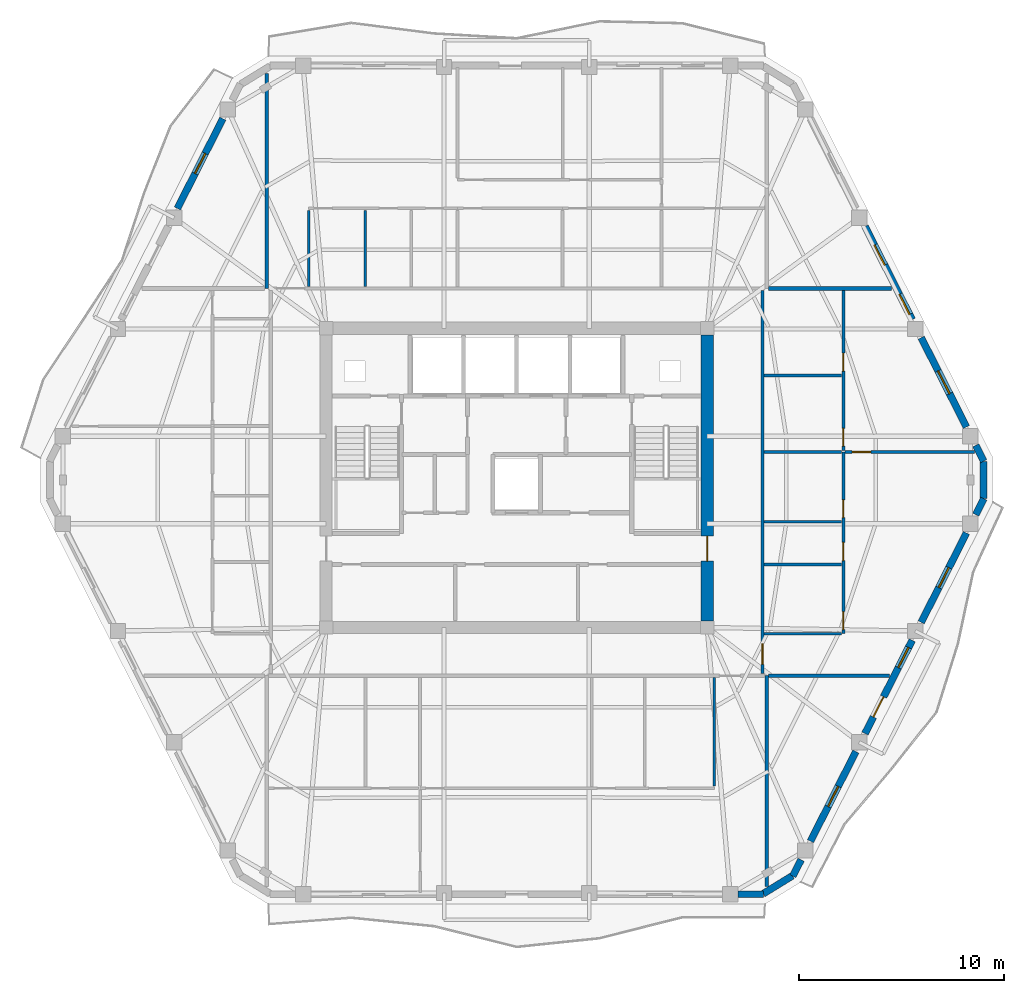
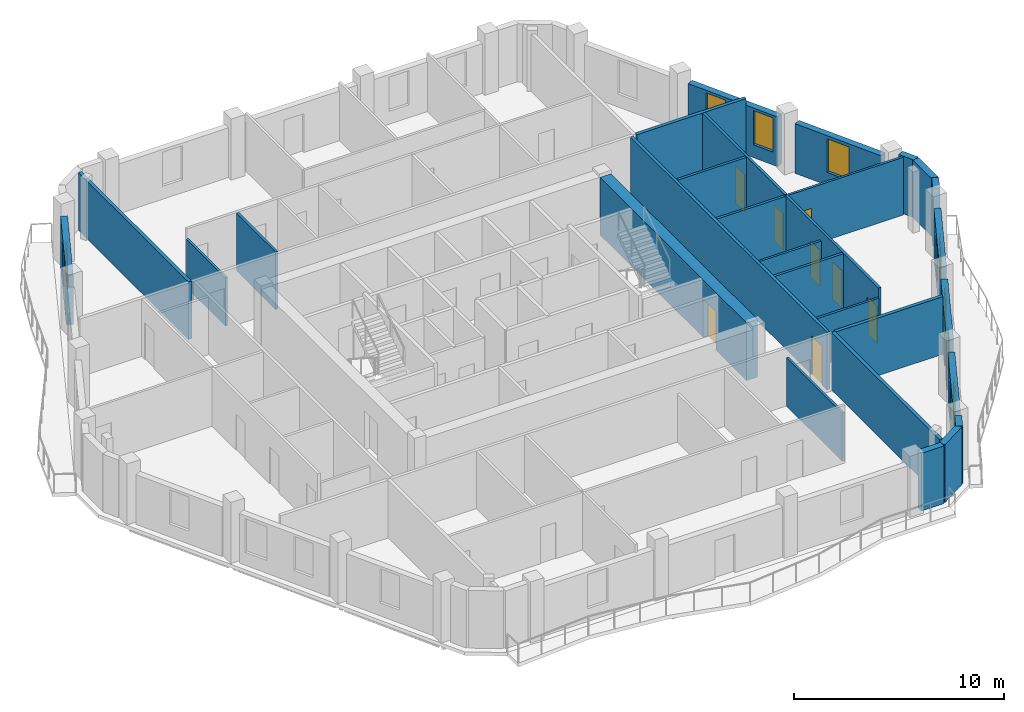
# One storey, part 6 of 9: 29 walls, 9 doors, 7 windows, 16 openings.
"""IFC4 building model written with IfcOpenShell, lengths in metres."""

from ifc_helpers import new_model, si_unit, direction, frame, frame_2d, origin, place, context, subcontext, project, spatial, rectangle, extrude, material, layer, layer_set, type_object, element, fill, save


model = new_model("IFC4")

# Units and contexts
model_context = context("Model", 3, precision=1e-05, world=origin(), true_north=direction((0.0, 1.0)))
body_context = subcontext(model_context, "Body", "Model", "MODEL_VIEW")
ifc_project = project(units=[si_unit("LENGTHUNIT", "METRE"), si_unit("AREAUNIT", "SQUARE_METRE"), si_unit("VOLUMEUNIT", "CUBIC_METRE"), si_unit("PLANEANGLEUNIT", "RADIAN"), si_unit("MASSUNIT", "GRAM", prefix="KILO")], contexts=[model_context])

# Site, building, storey
site_placement = place(None, origin())
site = spatial("IfcSite", under=ifc_project, at=site_placement, CompositionType="ELEMENT")
building_placement = place(site_placement, origin())
building = spatial("IfcBuilding", under=site, at=building_placement, Name="Cinnabar Lancet Tower", CompositionType="ELEMENT")
storey_placement = place(building_placement, frame((0.0, 0.0, 207.39990234375)))
storey = spatial("IfcBuildingStorey", under=building, at=storey_placement, Name="L55", CompositionType="ELEMENT", Elevation=207.39990234375)

# Wall, opening, door
ifc_material_1 = material(Name="Acoustic twin-stud gypsum partition", Category="gypsum")
ifc_layer_1 = layer(ifc_material_1, 0.159912109375)
ifc_layer_set_1 = layer_set([ifc_layer_1], Name="Acoustic twin-stud gypsum partition")
wall_type_1 = type_object("IfcWallType", Name="ARC-WL-CORR-160", PredefinedType="PARTITIONING", material=ifc_layer_set_1)
wall_1_placement = place(storey_placement, frame((44.39990234375, 16.344970703125, 0.0), z_axis=(0.0, 0.0, 1.0), x_axis=(0.0, 1.0, 0.0)))
wall_1 = element("IfcWall", 1, at=wall_1_placement, inside=storey, type_object=wall_type_1, Name="UW-L55-E01-COR", PredefinedType="PARTITIONING", context=body_context, shape_type="SweptSolid", body=[
    extrude(rectangle(XDim=18.7099609375, YDim=0.159912109375, at=frame_2d((9.35498046875, 0.0))), origin(), (0.0, 0.0, 1.0), 3.35009765625),
])
opening_1_placement = place(wall_1_placement, frame((0.449951171875, 0.0, 0.0)))
opening_1 = element("IfcOpeningElement", 2, at=opening_1_placement, cuts=wall_1, Name="Opening UD-01", PredefinedType="OPENING", context=body_context, shape_type="SweptSolid", body=[
    extrude(rectangle(XDim=1.02001953125, YDim=2.25, at=frame_2d((0.510009765625, 1.125))), frame((0.0, 0.08984375, 0.0), z_axis=(0.0, -1.0, 0.0), x_axis=(1.0, 0.0, 0.0)), (0.0, 0.0, 1.0), 0.179931640625),
])
ifc_material_2 = material(Name="Solid timber fire-rated apartment entrance door", Category="wood")
door_type_1 = type_object("IfcDoorType", Name="ARC-DR-UNIT", OperationType="NOTDEFINED", PredefinedType="DOOR", material=ifc_material_2)
door_1_placement = place(opening_1_placement, origin())
door_1 = element("IfcDoor", 3, at=door_1_placement, inside=storey, type_object=door_type_1, Name="DR-L55-E01-ENT", OperationType="SINGLE_SWING_LEFT", OverallHeight=2.25, OverallWidth=1.02001953125, PredefinedType="DOOR", context=body_context, shape_type="SweptSolid", body=[
    extrude(rectangle(XDim=1.02001953125, YDim=2.25, at=frame_2d((0.510009765625, 1.125))), frame((0.0, 0.02490234375, 0.0), z_axis=(0.0, -1.0, 0.0), x_axis=(1.0, 0.0, 0.0)), (0.0, 0.0, 1.0), 0.050048828125),
])
fill(opening_1, door_1)

# Walls
ifc_material_3 = material(Name="Fire-rated twin-frame acoustic drywall", Category="gypsum")
ifc_layer_2 = layer(ifc_material_3, 0.179931640625)
ifc_layer_set_2 = layer_set([ifc_layer_2], Name="Fire-rated twin-frame acoustic drywall")
wall_type_2 = type_object("IfcWallType", Name="ARC-WL-PARTY-180", PredefinedType="PARTITIONING", material=ifc_layer_set_2)
wall_2_placement = place(storey_placement, frame((44.60009765625, 5.968017578125, 0.0), z_axis=(0.0, 0.0, 1.0), x_axis=(0.0, 1.0, 0.0)))
element("IfcWall", 4, at=wall_2_placement, inside=storey, type_object=wall_type_2, Name="PW-L55-SPTY-446", PredefinedType="PARTITIONING", context=body_context, shape_type="SweptSolid", body=[
    extrude(rectangle(XDim=10.281982421875, YDim=0.179931640625, at=frame_2d((5.14111328125, 0.0))), origin(), (0.0, 0.0, 1.0), 3.35009765625),
])
wall_3_placement = place(storey_placement, frame((20.199951171875, 35.14990234375, 0.0), z_axis=(0.0, 0.0, 1.0), x_axis=(0.0, 1.0, 0.0)))
element("IfcWall", 5, at=wall_3_placement, inside=storey, type_object=wall_type_2, Name="PW-L55-NPTY-202", PredefinedType="PARTITIONING", context=body_context, shape_type="SweptSolid", body=[
    extrude(rectangle(XDim=10.482177734375, YDim=0.179931640625, at=frame_2d((5.2412109375, 0.0))), origin(), (0.0, 0.0, 1.0), 3.35009765625),
])
wall_4_placement = place(storey_placement, frame((44.695068359375, 16.25, 0.0), z_axis=(0.0, 0.0, 1.0), x_axis=(1.0, 0.0, 0.0)))
element("IfcWall", 6, at=wall_4_placement, inside=storey, type_object=wall_type_2, Name="PW-L55-ESB", PredefinedType="PARTITIONING", context=body_context, shape_type="SweptSolid", body=[
    extrude(rectangle(XDim=5.89404296875, YDim=0.179931640625, at=frame_2d((2.947021484375, 0.0))), origin(), (0.0, 0.0, 1.0), 3.35009765625),
])
wall_5_placement = place(storey_placement, frame((44.695068359375, 35.14990234375, 0.0), z_axis=(0.0, 0.0, 1.0), x_axis=(1.0, 0.0, 0.0)))
element("IfcWall", 7, at=wall_5_placement, inside=storey, type_object=wall_type_2, Name="PW-L55-ENB", PredefinedType="PARTITIONING", context=body_context, shape_type="SweptSolid", body=[
    extrude(rectangle(XDim=5.994873046875, YDim=0.179931640625, at=frame_2d((2.99755859375, 0.0))), origin(), (0.0, 0.0, 1.0), 3.35009765625),
])
ifc_material_4 = material(Name="Gypsum plasterboard stud partition", Category="gypsum")
ifc_layer_3 = layer(ifc_material_4, 0.125)
ifc_layer_set_3 = layer_set([ifc_layer_3], Name="Gypsum plasterboard stud partition")
wall_type_3 = type_object("IfcWallType", Name="ARC-WL-UNIT-125", PredefinedType="PARTITIONING", material=ifc_layer_set_3)
wall_6_placement = place(storey_placement, frame((42.050048828125, 10.85693359375, 0.0), z_axis=(0.0, 0.0, 1.0), x_axis=(0.0, 1.0, 0.0)))
element("IfcWall", 8, at=wall_6_placement, inside=storey, type_object=wall_type_3, Name="UW-L55-S01-FOYW", PredefinedType="PARTITIONING", context=body_context, shape_type="SweptSolid", body=[
    extrude(rectangle(XDim=5.30810546875, YDim=0.125, at=frame_2d((2.654052734375, 0.0))), origin(), (0.0, 0.0, 1.0), 2.80712890625),
])
wall_7_placement = place(storey_placement, frame((22.25, 35.235107421875, 0.0), z_axis=(0.0, 0.0, 1.0), x_axis=(0.0, 1.0, 0.0)))
element("IfcWall", 9, at=wall_7_placement, inside=storey, type_object=wall_type_3, Name="UW-L55-N01-FOYE", PredefinedType="PARTITIONING", context=body_context, shape_type="SweptSolid", body=[
    extrude(rectangle(XDim=3.721923828125, YDim=0.125, at=frame_2d((1.86083984375, 0.0))), origin(), (0.0, 0.0, 1.0), 2.80712890625),
])
wall_8_placement = place(storey_placement, frame((44.485107421875, 18.300048828125, 0.0), z_axis=(0.0, 0.0, 1.0), x_axis=(1.0, 0.0, 0.0)))
element("IfcWall", 10, at=wall_8_placement, inside=storey, type_object=wall_type_3, Name="UW-L55-E01-FOYN", PredefinedType="PARTITIONING", context=body_context, shape_type="SweptSolid", body=[
    extrude(rectangle(XDim=3.77978515625, YDim=0.125, at=frame_2d((1.889892578125, 0.0))), origin(), (0.0, 0.0, 1.0), 2.80712890625),
])

# Wall, opening, door
wall_9_placement = place(storey_placement, frame((48.425048828125, 27.166015625, 0.0), z_axis=(0.0, 0.0, 1.0), x_axis=(1.0, 0.0, 0.0)))
wall_9 = element("IfcWall", 11, at=wall_9_placement, inside=storey, type_object=wall_type_3, Name="UW-L55-E01-MBN", PredefinedType="PARTITIONING", context=body_context, shape_type="SweptSolid", body=[
    extrude(rectangle(XDim=6.320068359375, YDim=0.125, at=frame_2d((3.16015625, 0.0))), origin(), (0.0, 0.0, 1.0), 3.35009765625),
])
opening_2_placement = place(wall_9_placement, frame((0.35009765625, 0.0, 0.0)))
opening_2 = element("IfcOpeningElement", 12, at=opening_2_placement, cuts=wall_9, Name="Opening RD-01", PredefinedType="OPENING", context=body_context, shape_type="SweptSolid", body=[
    extrude(rectangle(XDim=0.919921875, YDim=2.14990234375, at=frame_2d((0.4599609375, 1.074951171875))), frame((0.0, 0.072509765625, 0.0), z_axis=(0.0, -1.0, 0.0), x_axis=(1.0, 0.0, 0.0)), (0.0, 0.0, 1.0), 0.14501953125),
])
ifc_material_5 = material(Name="Engineered timber bedroom door", Category="wood")
door_type_2 = type_object("IfcDoorType", Name="ARC-DR-ROOM", OperationType="NOTDEFINED", PredefinedType="DOOR", material=ifc_material_5)
door_2_placement = place(opening_2_placement, origin())
door_2 = element("IfcDoor", 13, at=door_2_placement, inside=storey, type_object=door_type_2, Name="DR-L55-E01-MBD", OperationType="SINGLE_SWING_LEFT", OverallHeight=2.14990234375, OverallWidth=0.919921875, PredefinedType="DOOR", context=body_context, shape_type="SweptSolid", body=[
    extrude(rectangle(XDim=0.919921875, YDim=2.14990234375, at=frame_2d((0.4599609375, 1.074951171875))), frame((0.0, 0.02490234375, 0.0), z_axis=(0.0, -1.0, 0.0), x_axis=(1.0, 0.0, 0.0)), (0.0, 0.0, 1.0), 0.050048828125),
])
fill(opening_2, door_2)

# Walls
wall_10_placement = place(storey_placement, frame((44.485107421875, 23.76611328125, 0.0), z_axis=(0.0, 0.0, 1.0), x_axis=(1.0, 0.0, 0.0)))
element("IfcWall", 14, at=wall_10_placement, inside=storey, type_object=wall_type_3, Name="UW-L55-E01-UDV", PredefinedType="PARTITIONING", context=body_context, shape_type="SweptSolid", body=[
    extrude(rectangle(XDim=3.77978515625, YDim=0.125, at=frame_2d((1.889892578125, 0.0))), origin(), (0.0, 0.0, 1.0), 2.80712890625),
])
ifc_material_6 = material(Name="Moisture-resistant cement-board plumbing wall", Category="masonry")
ifc_layer_4 = layer(ifc_material_6, 0.139892578125)
ifc_layer_set_4 = layer_set([ifc_layer_4], Name="Moisture-resistant cement-board plumbing wall")
wall_type_4 = type_object("IfcWallType", Name="ARC-WL-WET-140", PredefinedType="PLUMBINGWALL", material=ifc_layer_set_4)
wall_11_placement = place(storey_placement, frame((25.010009765625, 35.235107421875, 0.0), z_axis=(0.0, 0.0, 1.0), x_axis=(0.0, 1.0, 0.0)))
element("IfcWall", 15, at=wall_11_placement, inside=storey, type_object=wall_type_4, Name="UW-L55-N01-KDV", PredefinedType="PLUMBINGWALL", context=body_context, shape_type="SweptSolid", body=[
    extrude(rectangle(XDim=3.721923828125, YDim=0.139892578125, at=frame_2d((1.86083984375, 0.0))), origin(), (0.0, 0.0, 1.0), 3.35009765625),
])

# Wall, openings, doors
wall_12_placement = place(storey_placement, frame((48.35009765625, 18.300048828125, 0.0), z_axis=(0.0, 0.0, 1.0), x_axis=(0.0, 1.0, 0.0)))
wall_12 = element("IfcWall", 16, at=wall_12_placement, inside=storey, type_object=wall_type_4, Name="UW-L55-E01-SPL", PredefinedType="PLUMBINGWALL", context=body_context, shape_type="SweptSolid", body=[
    extrude(rectangle(XDim=8.865966796875, YDim=0.139892578125, at=frame_2d((4.43310546875, 0.0))), origin(), (0.0, 0.0, 1.0), 3.35009765625),
])
opening_3_placement = place(wall_12_placement, frame((0.199951171875, 0.0, 0.0)))
opening_3 = element("IfcOpeningElement", 17, at=opening_3_placement, cuts=wall_12, Name="Opening RD-02", PredefinedType="OPENING", context=body_context, shape_type="SweptSolid", body=[
    extrude(rectangle(XDim=0.8798828125, YDim=2.14990234375, at=frame_2d((0.43994140625, 1.074951171875))), frame((0.0, 0.079833984375, 0.0), z_axis=(0.0, -1.0, 0.0), x_axis=(1.0, 0.0, 0.0)), (0.0, 0.0, 1.0), 0.159912109375),
])
opening_4_placement = place(wall_12_placement, frame((3.569091796875, 0.0, 0.0)))
opening_4 = element("IfcOpeningElement", 18, at=opening_4_placement, cuts=wall_12, Name="Opening RD-02", PredefinedType="OPENING", context=body_context, shape_type="SweptSolid", body=[
    extrude(rectangle(XDim=0.8798828125, YDim=2.14990234375, at=frame_2d((0.43994140625, 1.074951171875))), frame((0.0, 0.079833984375, 0.0), z_axis=(0.0, -1.0, 0.0), x_axis=(1.0, 0.0, 0.0)), (0.0, 0.0, 1.0), 0.159912109375),
])
opening_5_placement = place(wall_12_placement, frame((5.666015625, 0.0, 0.0)))
opening_5 = element("IfcOpeningElement", 19, at=opening_5_placement, cuts=wall_12, Name="Opening BD-01", PredefinedType="OPENING", context=body_context, shape_type="SweptSolid", body=[
    extrude(rectangle(XDim=0.860107421875, YDim=2.10009765625, at=frame_2d((0.43017578125, 1.050048828125))), frame((0.0, 0.079833984375, 0.0), z_axis=(0.0, -1.0, 0.0), x_axis=(1.0, 0.0, 0.0)), (0.0, 0.0, 1.0), 0.159912109375),
])
ifc_material_7 = material(Name="Moisture-resistant timber bathroom door", Category="wood")
door_type_3 = type_object("IfcDoorType", Name="ARC-DR-BATH", OperationType="NOTDEFINED", PredefinedType="DOOR", material=ifc_material_7)
door_3_placement = place(opening_5_placement, origin())
door_3 = element("IfcDoor", 20, at=door_3_placement, inside=storey, type_object=door_type_3, Name="DR-L55-E01-BTH", OperationType="SINGLE_SWING_RIGHT", OverallHeight=2.10009765625, OverallWidth=0.860107421875, PredefinedType="DOOR", context=body_context, shape_type="SweptSolid", body=[
    extrude(rectangle(XDim=0.860107421875, YDim=2.10009765625, at=frame_2d((0.43017578125, 1.050048828125))), frame((0.0, 0.02490234375, 0.0), z_axis=(0.0, -1.0, 0.0), x_axis=(1.0, 0.0, 0.0)), (0.0, 0.0, 1.0), 0.050048828125),
])
fill(opening_5, door_3)
ifc_material_8 = material(Name="Engineered timber study door", Category="wood")
door_type_4 = type_object("IfcDoorType", Name="ARC-DR-STUDY", OperationType="NOTDEFINED", PredefinedType="DOOR", material=ifc_material_8)
door_4_placement = place(opening_3_placement, origin())
door_4 = element("IfcDoor", 21, at=door_4_placement, inside=storey, type_object=door_type_4, Name="DR-L55-E01-KIT", OperationType="SINGLE_SWING_RIGHT", OverallHeight=2.14990234375, OverallWidth=0.8798828125, PredefinedType="DOOR", context=body_context, shape_type="SweptSolid", body=[
    extrude(rectangle(XDim=0.8798828125, YDim=2.14990234375, at=frame_2d((0.43994140625, 1.074951171875))), frame((0.0, 0.02490234375, 0.0), z_axis=(0.0, -1.0, 0.0), x_axis=(1.0, 0.0, 0.0)), (0.0, 0.0, 1.0), 0.050048828125),
])
fill(opening_3, door_4)
door_5_placement = place(opening_4_placement, origin())
door_5 = element("IfcDoor", 22, at=door_5_placement, inside=storey, type_object=door_type_4, Name="DR-L55-E01-UTL", OperationType="SINGLE_SWING_LEFT", OverallHeight=2.14990234375, OverallWidth=0.8798828125, PredefinedType="DOOR", context=body_context, shape_type="SweptSolid", body=[
    extrude(rectangle(XDim=0.8798828125, YDim=2.14990234375, at=frame_2d((0.43994140625, 1.074951171875))), frame((0.0, 0.02490234375, 0.0), z_axis=(0.0, -1.0, 0.0), x_axis=(1.0, 0.0, 0.0)), (0.0, 0.0, 1.0), 0.050048828125),
])
fill(opening_4, door_5)

wall_13_placement = place(storey_placement, frame((48.35009765625, 27.236083984375, 0.0), z_axis=(0.0, 0.0, 1.0), x_axis=(0.0, 1.0, 0.0)))
wall_13 = element("IfcWall", 23, at=wall_13_placement, inside=storey, type_object=wall_type_4, Name="UW-L55-E01-SPM", PredefinedType="PLUMBINGWALL", context=body_context, shape_type="SweptSolid", body=[
    extrude(rectangle(XDim=7.81884765625, YDim=0.139892578125, at=frame_2d((3.909423828125, 0.0))), origin(), (0.0, 0.0, 1.0), 3.35009765625),
])
opening_6_placement = place(wall_13_placement, frame((0.219970703125, 0.0, 0.0)))
opening_6 = element("IfcOpeningElement", 24, at=opening_6_placement, cuts=wall_13, Name="Opening BD-01", PredefinedType="OPENING", context=body_context, shape_type="SweptSolid", body=[
    extrude(rectangle(XDim=0.860107421875, YDim=2.10009765625, at=frame_2d((0.43017578125, 1.050048828125))), frame((0.0, 0.079833984375, 0.0), z_axis=(0.0, -1.0, 0.0), x_axis=(1.0, 0.0, 0.0)), (0.0, 0.0, 1.0), 0.159912109375),
])
opening_7_placement = place(wall_13_placement, frame((3.8798828125, 0.0, 0.0)))
opening_7 = element("IfcOpeningElement", 25, at=opening_7_placement, cuts=wall_13, Name="Opening RD-02", PredefinedType="OPENING", context=body_context, shape_type="SweptSolid", body=[
    extrude(rectangle(XDim=0.8798828125, YDim=2.14990234375, at=frame_2d((0.43994140625, 1.074951171875))), frame((0.0, 0.079833984375, 0.0), z_axis=(0.0, -1.0, 0.0), x_axis=(1.0, 0.0, 0.0)), (0.0, 0.0, 1.0), 0.159912109375),
])
door_6_placement = place(opening_6_placement, origin())
door_6 = element("IfcDoor", 26, at=door_6_placement, inside=storey, type_object=door_type_3, Name="DR-L55-E01-ENS", OperationType="SINGLE_SWING_LEFT", OverallHeight=2.10009765625, OverallWidth=0.860107421875, PredefinedType="DOOR", context=body_context, shape_type="SweptSolid", body=[
    extrude(rectangle(XDim=0.860107421875, YDim=2.10009765625, at=frame_2d((0.43017578125, 1.050048828125))), frame((0.0, 0.02490234375, 0.0), z_axis=(0.0, -1.0, 0.0), x_axis=(1.0, 0.0, 0.0)), (0.0, 0.0, 1.0), 0.050048828125),
])
fill(opening_6, door_6)
door_7_placement = place(opening_7_placement, origin())
door_7 = element("IfcDoor", 27, at=door_7_placement, inside=storey, type_object=door_type_4, Name="DR-L55-E01-EWDR", OperationType="SINGLE_SWING_RIGHT", OverallHeight=2.14990234375, OverallWidth=0.8798828125, PredefinedType="DOOR", context=body_context, shape_type="SweptSolid", body=[
    extrude(rectangle(XDim=0.8798828125, YDim=2.14990234375, at=frame_2d((0.43994140625, 1.074951171875))), frame((0.0, 0.02490234375, 0.0), z_axis=(0.0, -1.0, 0.0), x_axis=(1.0, 0.0, 0.0)), (0.0, 0.0, 1.0), 0.050048828125),
])
fill(opening_7, door_7)

# Walls
for number, where, z_axis, x_axis, name in (
    (28, (44.485107421875, 27.166015625, 0.0), (0.0, 0.0, 1.0), (1.0, 0.0, 0.0), "UW-L55-E01-ENSN"),
    (29, (44.485107421875, 21.6689453125, 0.0), (0.0, 0.0, 1.0), (1.0, 0.0, 0.0), "UW-L55-E01-KDV"),
    (30, (44.485107421875, 30.89599609375, 0.0), (0.0, 0.0, 1.0), (1.0, 0.0, 0.0), "UW-L55-E01-EWDV"),
):
    element("IfcWall", number, at=place(storey_placement, frame(where, z_axis=z_axis, x_axis=x_axis)), inside=storey, type_object=wall_type_4, Name=name, PredefinedType="PLUMBINGWALL", context=body_context, shape_type="SweptSolid", body=[
        extrude(rectangle(XDim=3.77978515625, YDim=0.139892578125, at=frame_2d((1.889892578125, 0.0))), origin(), (0.0, 0.0, 1.0), 3.35009765625),
    ])
ifc_material_9 = material(Name="Cinnabar red clay brick", Category="masonry")
ifc_layer_5 = layer(ifc_material_9, 0.340087890625)
ifc_layer_set_5 = layer_set([ifc_layer_5], Name="Cinnabar red clay brick")
wall_type_5 = type_object("IfcWallType", Name="ENV-WL-BRK-RED-340", PredefinedType="STANDARD", material=ifc_layer_set_5)
wall_14_placement = place(storey_placement, frame((44.43310546875, 5.60498046875, 0.0), z_axis=(0.0, 0.0, 1.0), x_axis=(0.851778214877, 0.523902541185, 0.0)))
element("IfcWall", 31, at=wall_14_placement, inside=storey, type_object=wall_type_5, Name="L55 Chamfered Corner Brick Pier 2.1", PredefinedType="STANDARD", context=body_context, shape_type="SweptSolid", body=[
    extrude(rectangle(XDim=1.677734375, YDim=0.340087890625, at=frame_2d((0.8388671875, 0.0))), origin(), (0.0, 0.0, 1.0), 3.35009765625),
])
wall_15_placement = place(storey_placement, frame((55.177978515625, 24.89208984375, 0.0), z_axis=(0.0, 0.0, 1.0), x_axis=(0.0, 1.0, 0.0)))
element("IfcWall", 32, at=wall_15_placement, inside=storey, type_object=wall_type_5, Name="L55 Chamfered Corner Brick Pier 3.1", PredefinedType="STANDARD", context=body_context, shape_type="SweptSolid", body=[
    extrude(rectangle(XDim=1.81591796875, YDim=0.340087890625, at=frame_2d((0.907958984375, 0.0))), origin(), (0.0, 0.0, 1.0), 3.35009765625),
])
wall_16_placement = place(storey_placement, frame((43.199951171875, 5.580078125, 0.0), z_axis=(0.0, 0.0, 1.0), x_axis=(1.0, 0.0, 0.0)))
element("IfcWall", 33, at=wall_16_placement, inside=storey, type_object=wall_type_5, Name="L55 Face 1 Masonry Bay Wall 5", PredefinedType="STANDARD", context=body_context, shape_type="SweptSolid", body=[
    extrude(rectangle(XDim=1.238037109375, YDim=0.340087890625, at=frame_2d((0.619140625, 0.0))), origin(), (0.0, 0.0, 1.0), 3.35009765625),
])
wall_17_placement = place(storey_placement, frame((45.882080078125, 6.468017578125, 0.0), z_axis=(0.0, 0.0, 1.0), x_axis=(0.451597983141, 0.892221531697, 0.0)))
element("IfcWall", 34, at=wall_17_placement, inside=storey, type_object=wall_type_5, Name="L55 Face 2 Masonry Bay Wall 1", PredefinedType="STANDARD", context=body_context, shape_type="SweptSolid", body=[
    extrude(rectangle(XDim=0.889892578125, YDim=0.340087890625, at=frame_2d((0.44482421875, 0.0))), origin(), (0.0, 0.0, 1.0), 3.35009765625),
])

# Wall, opening, window
wall_18_placement = place(storey_placement, frame((46.739990234375, 8.1640625, 0.0), z_axis=(0.0, 0.0, 1.0), x_axis=(0.451544279509, 0.892248711763, 0.0)))
wall_18 = element("IfcWall", 35, at=wall_18_placement, inside=storey, type_object=wall_type_5, Name="L55 Face 2 Masonry Bay Wall 2", PredefinedType="STANDARD", context=body_context, shape_type="SweptSolid", body=[
    extrude(rectangle(XDim=4.909912109375, YDim=0.340087890625, at=frame_2d((2.455078125, 0.0))), origin(), (0.0, 0.0, 1.0), 2.883056640625),
])
opening_8_placement = place(wall_18_placement, frame((1.905029296875, 0.0, 0.75)))
opening_8 = element("IfcOpeningElement", 36, at=opening_8_placement, cuts=wall_18, Name="Opening WN-04", PredefinedType="OPENING", context=body_context, shape_type="SweptSolid", body=[
    extrude(rectangle(XDim=1.10009765625, YDim=1.98291015625, at=frame_2d((0.550048828125, 0.991455078125))), frame((0.0, 0.179931640625, 0.0), z_axis=(0.0, -1.0, 0.0), x_axis=(1.0, 0.0, 0.0)), (0.0, 0.0, 1.0), 0.360107421875),
])
ifc_material_10 = material(Name="Thermally broken bronze-anodized aluminium tall lancet window", Category="aluminium")
window_type_1 = type_object("IfcWindowType", Name="ENV-WN-LANCET-1100", PartitioningType="SINGLE_PANEL", PredefinedType="WINDOW", material=ifc_material_10)
window_1_placement = place(opening_8_placement, origin())
window_1 = element("IfcWindow", 37, at=window_1_placement, inside=storey, type_object=window_type_1, Name="L55 Face 2 Gothic Lancet Window 2", OverallHeight=1.98291015625, OverallWidth=1.10009765625, PartitioningType="SINGLE_PANEL", PredefinedType="WINDOW", context=body_context, shape_type="SweptSolid", body=[
    extrude(rectangle(XDim=1.10009765625, YDim=1.98291015625, at=frame_2d((0.550048828125, 0.991455078125))), frame((0.0, 0.030029296875, 0.0), z_axis=(0.0, -1.0, 0.0), x_axis=(1.0, 0.0, 0.0)), (0.0, 0.0, 1.0), 0.06005859375),
])
fill(opening_8, window_1)

# Wall, openings, door, window
wall_19_placement = place(storey_placement, frame((49.403076171875, 13.427001953125, 0.0), z_axis=(0.0, 0.0, 1.0), x_axis=(0.451425765525, 0.892308678777, 0.0)))
wall_19 = element("IfcWall", 38, at=wall_19_placement, inside=storey, type_object=wall_type_5, Name="L55 Face 2 Masonry Bay Wall 3", PredefinedType="STANDARD", context=body_context, shape_type="SweptSolid", body=[
    extrude(rectangle(XDim=5.094482421875, YDim=0.340087890625, at=frame_2d((2.54736328125, 0.0))), origin(), (0.0, 0.0, 1.0), 2.883056640625),
])
opening_9_placement = place(wall_19_placement, frame((0.906982421875, 0.0, 0.0)))
opening_9 = element("IfcOpeningElement", 39, at=opening_9_placement, cuts=wall_19, Name="Opening TD-01", PredefinedType="OPENING", context=body_context, shape_type="SweptSolid", body=[
    extrude(rectangle(XDim=1.10009765625, YDim=2.25, at=frame_2d((0.550048828125, 1.125))), frame((0.0, 0.179931640625, 0.0), z_axis=(0.0, -1.0, 0.0), x_axis=(1.0, 0.0, 0.0)), (0.0, 0.0, 1.0), 0.360107421875),
])
opening_10_placement = place(wall_19_placement, frame((3.60009765625, 0.0, 0.75)))
opening_10 = element("IfcOpeningElement", 40, at=opening_10_placement, cuts=wall_19, Name="Opening WN-04", PredefinedType="OPENING", context=body_context, shape_type="SweptSolid", body=[
    extrude(rectangle(XDim=1.10009765625, YDim=1.98291015625, at=frame_2d((0.550048828125, 0.991455078125))), frame((0.0, 0.179931640625, 0.0), z_axis=(0.0, -1.0, 0.0), x_axis=(1.0, 0.0, 0.0)), (0.0, 0.0, 1.0), 0.360107421875),
])
ifc_material_11 = material(Name="Thermally broken low-E glazed balcony terrace door", Category="wood")
door_type_5 = type_object("IfcDoorType", Name="ARC-DR-BALC", OperationType="NOTDEFINED", PredefinedType="DOOR", material=ifc_material_11)
door_8_placement = place(opening_9_placement, origin())
door_8 = element("IfcDoor", 41, at=door_8_placement, inside=storey, type_object=door_type_5, Name="L55 Face 2 Glazed Terrace Door", OperationType="SINGLE_SWING_LEFT", OverallHeight=2.25, OverallWidth=1.10009765625, PredefinedType="DOOR", context=body_context, shape_type="SweptSolid", body=[
    extrude(rectangle(XDim=1.10009765625, YDim=2.25, at=frame_2d((0.550048828125, 1.125))), frame((0.0, 0.02490234375, 0.0), z_axis=(0.0, -1.0, 0.0), x_axis=(1.0, 0.0, 0.0)), (0.0, 0.0, 1.0), 0.050048828125),
])
fill(opening_9, door_8)
window_2_placement = place(opening_10_placement, origin())
window_2 = element("IfcWindow", 42, at=window_2_placement, inside=storey, type_object=window_type_1, Name="L55 Split-Bay Gothic Lancet Window 187", OverallHeight=1.98291015625, OverallWidth=1.10009765625, PartitioningType="SINGLE_PANEL", PredefinedType="WINDOW", context=body_context, shape_type="SweptSolid", body=[
    extrude(rectangle(XDim=1.10009765625, YDim=1.98291015625, at=frame_2d((0.550048828125, 0.991455078125))), frame((0.0, 0.030029296875, 0.0), z_axis=(0.0, -1.0, 0.0), x_axis=(1.0, 0.0, 0.0)), (0.0, 0.0, 1.0), 0.06005859375),
])
fill(opening_10, window_2)

# Wall, opening, window
wall_20_placement = place(storey_placement, frame((52.14697265625, 18.85302734375, 0.0), z_axis=(0.0, 0.0, 1.0), x_axis=(0.451566029745, 0.892237704191, 0.0)))
wall_20 = element("IfcWall", 43, at=wall_20_placement, inside=storey, type_object=wall_type_5, Name="L55 Face 2 Masonry Bay Wall 4", PredefinedType="STANDARD", context=body_context, shape_type="SweptSolid", body=[
    extrude(rectangle(XDim=4.88525390625, YDim=0.340087890625, at=frame_2d((2.442626953125, 0.0))), origin(), (0.0, 0.0, 1.0), 2.883056640625),
])
opening_11_placement = place(wall_20_placement, frame((1.89306640625, 0.0, 0.75)))
opening_11 = element("IfcOpeningElement", 44, at=opening_11_placement, cuts=wall_20, Name="Opening WN-04", PredefinedType="OPENING", context=body_context, shape_type="SweptSolid", body=[
    extrude(rectangle(XDim=1.10009765625, YDim=1.98291015625, at=frame_2d((0.550048828125, 0.991455078125))), frame((0.0, 0.179931640625, 0.0), z_axis=(0.0, -1.0, 0.0), x_axis=(1.0, 0.0, 0.0)), (0.0, 0.0, 1.0), 0.360107421875),
])
window_3_placement = place(opening_11_placement, origin())
window_3 = element("IfcWindow", 45, at=window_3_placement, inside=storey, type_object=window_type_1, Name="L55 Face 2 Gothic Lancet Window 4", OverallHeight=1.98291015625, OverallWidth=1.10009765625, PartitioningType="SINGLE_PANEL", PredefinedType="WINDOW", context=body_context, shape_type="SweptSolid", body=[
    extrude(rectangle(XDim=1.10009765625, YDim=1.98291015625, at=frame_2d((0.550048828125, 0.991455078125))), frame((0.0, 0.030029296875, 0.0), z_axis=(0.0, -1.0, 0.0), x_axis=(1.0, 0.0, 0.0)), (0.0, 0.0, 1.0), 0.06005859375),
])
fill(opening_11, window_3)

# Walls
wall_21_placement = place(storey_placement, frame((54.805908203125, 24.10693359375, 0.0), z_axis=(0.0, 0.0, 1.0), x_axis=(0.450906649871, 0.892571113751, 0.0)))
element("IfcWall", 46, at=wall_21_placement, inside=storey, type_object=wall_type_5, Name="L55 Face 2 Masonry Bay Wall 5", PredefinedType="STANDARD", context=body_context, shape_type="SweptSolid", body=[
    extrude(rectangle(XDim=0.871826171875, YDim=0.340087890625, at=frame_2d((0.43603515625, 0.0))), origin(), (0.0, 0.0, 1.0), 3.35009765625),
])
wall_22_placement = place(storey_placement, frame((55.198974609375, 26.715087890625, 0.0), z_axis=(0.0, 0.0, 1.0), x_axis=(-0.451019391667, 0.892514150218, 0.0)))
element("IfcWall", 47, at=wall_22_placement, inside=storey, type_object=wall_type_5, Name="L55 Face 3 Masonry Bay Wall 1", PredefinedType="STANDARD", context=body_context, shape_type="SweptSolid", body=[
    extrude(rectangle(XDim=0.87158203125, YDim=0.340087890625, at=frame_2d((0.435791015625, 0.0))), origin(), (0.0, 0.0, 1.0), 3.35009765625),
])

# Wall, opening, window
wall_23_placement = place(storey_placement, frame((54.35302734375, 28.387939453125, 0.0), z_axis=(0.0, 0.0, 1.0), x_axis=(-0.451545895749, 0.892247893824, 0.0)))
wall_23 = element("IfcWall", 48, at=wall_23_placement, inside=storey, type_object=wall_type_5, Name="L55 Face 3 Masonry Bay Wall 2", PredefinedType="STANDARD", context=body_context, shape_type="SweptSolid", body=[
    extrude(rectangle(XDim=4.885498046875, YDim=0.340087890625, at=frame_2d((2.44287109375, 0.0))), origin(), (0.0, 0.0, 1.0), 2.883056640625),
])
opening_12_placement = place(wall_23_placement, frame((1.818115234375, 0.0, 0.75)))
opening_12 = element("IfcOpeningElement", 49, at=opening_12_placement, cuts=wall_23, Name="Opening WN-03", PredefinedType="OPENING", context=body_context, shape_type="SweptSolid", body=[
    extrude(rectangle(XDim=1.25, YDim=1.949951171875, at=frame_2d((0.625, 0.97509765625))), frame((0.0, 0.179931640625, 0.0), z_axis=(0.0, -1.0, 0.0), x_axis=(1.0, 0.0, 0.0)), (0.0, 0.0, 1.0), 0.360107421875),
])
ifc_material_12 = material(Name="Thermally broken bronze-anodized aluminium low-E double glazing", Category="aluminium")
window_type_2 = type_object("IfcWindowType", Name="ENV-WN-LANCET-1250", PartitioningType="SINGLE_PANEL", PredefinedType="WINDOW", material=ifc_material_12)
window_4_placement = place(opening_12_placement, origin())
window_4 = element("IfcWindow", 50, at=window_4_placement, inside=storey, type_object=window_type_2, Name="L55 Face 3 Gothic Lancet Window 2", OverallHeight=1.949951171875, OverallWidth=1.25, PartitioningType="SINGLE_PANEL", PredefinedType="WINDOW", context=body_context, shape_type="SweptSolid", body=[
    extrude(rectangle(XDim=1.25, YDim=1.949951171875, at=frame_2d((0.625, 0.97509765625))), frame((0.0, 0.030029296875, 0.0), z_axis=(0.0, -1.0, 0.0), x_axis=(1.0, 0.0, 0.0)), (0.0, 0.0, 1.0), 0.06005859375),
])
fill(opening_12, window_4)

# Wall, openings, windows
wall_24_placement = place(storey_placement, frame((51.702880859375, 33.626953125, 0.0), z_axis=(0.0, 0.0, 1.0), x_axis=(-0.451406462707, 0.892318443957, 0.0)))
wall_24 = element("IfcWall", 51, at=wall_24_placement, inside=storey, type_object=wall_type_5, Name="L55 Face 3 Masonry Bay Wall 3", PredefinedType="STANDARD", context=body_context, shape_type="SweptSolid", body=[
    extrude(rectangle(XDim=5.0947265625, YDim=0.340087890625, at=frame_2d((2.54736328125, 0.0))), origin(), (0.0, 0.0, 1.0), 2.883056640625),
])
opening_13_placement = place(wall_24_placement, frame((0.282958984375, 0.0, 0.75)))
opening_13 = element("IfcOpeningElement", 52, at=opening_13_placement, cuts=wall_24, Name="Opening WN-04", PredefinedType="OPENING", context=body_context, shape_type="SweptSolid", body=[
    extrude(rectangle(XDim=1.10009765625, YDim=1.98291015625, at=frame_2d((0.550048828125, 0.991455078125))), frame((0.0, 0.179931640625, 0.0), z_axis=(0.0, -1.0, 0.0), x_axis=(1.0, 0.0, 0.0)), (0.0, 0.0, 1.0), 0.360107421875),
])
opening_14_placement = place(wall_24_placement, frame((2.98095703125, 0.0, 0.75)))
opening_14 = element("IfcOpeningElement", 53, at=opening_14_placement, cuts=wall_24, Name="Opening WN-04", PredefinedType="OPENING", context=body_context, shape_type="SweptSolid", body=[
    extrude(rectangle(XDim=1.10009765625, YDim=1.98291015625, at=frame_2d((0.550048828125, 0.991455078125))), frame((0.0, 0.179931640625, 0.0), z_axis=(0.0, -1.0, 0.0), x_axis=(1.0, 0.0, 0.0)), (0.0, 0.0, 1.0), 0.360107421875),
])
window_5_placement = place(opening_13_placement, origin())
window_5 = element("IfcWindow", 54, at=window_5_placement, inside=storey, type_object=window_type_1, Name="L55 Face 3 Gothic Lancet Window 3", OverallHeight=1.98291015625, OverallWidth=1.10009765625, PartitioningType="SINGLE_PANEL", PredefinedType="WINDOW", context=body_context, shape_type="SweptSolid", body=[
    extrude(rectangle(XDim=1.10009765625, YDim=1.98291015625, at=frame_2d((0.550048828125, 0.991455078125))), frame((0.0, 0.030029296875, 0.0), z_axis=(0.0, -1.0, 0.0), x_axis=(1.0, 0.0, 0.0)), (0.0, 0.0, 1.0), 0.06005859375),
])
fill(opening_13, window_5)
window_6_placement = place(opening_14_placement, origin())
window_6 = element("IfcWindow", 55, at=window_6_placement, inside=storey, type_object=window_type_1, Name="L55 Split-Bay Gothic Lancet Window 188", OverallHeight=1.98291015625, OverallWidth=1.10009765625, PartitioningType="SINGLE_PANEL", PredefinedType="WINDOW", context=body_context, shape_type="SweptSolid", body=[
    extrude(rectangle(XDim=1.10009765625, YDim=1.98291015625, at=frame_2d((0.550048828125, 0.991455078125))), frame((0.0, 0.030029296875, 0.0), z_axis=(0.0, -1.0, 0.0), x_axis=(1.0, 0.0, 0.0)), (0.0, 0.0, 1.0), 0.06005859375),
])
fill(opening_14, window_6)

# Wall, opening, window
wall_25_placement = place(storey_placement, frame((18.06005859375, 43.43603515625, 0.0), z_axis=(0.0, 0.0, 1.0), x_axis=(-0.451524246964, -0.89225884944, 0.0)))
wall_25 = element("IfcWall", 56, at=wall_25_placement, inside=storey, type_object=wall_type_5, Name="L55 Face 5 Masonry Bay Wall 2", PredefinedType="STANDARD", context=body_context, shape_type="SweptSolid", body=[
    extrude(rectangle(XDim=4.91015625, YDim=0.340087890625, at=frame_2d((2.455078125, 0.0))), origin(), (0.0, 0.0, 1.0), 2.883056640625),
])
opening_15_placement = place(wall_25_placement, frame((1.905029296875, 0.0, 0.75)))
opening_15 = element("IfcOpeningElement", 57, at=opening_15_placement, cuts=wall_25, Name="Opening WN-04", PredefinedType="OPENING", context=body_context, shape_type="SweptSolid", body=[
    extrude(rectangle(XDim=1.10009765625, YDim=1.98291015625, at=frame_2d((0.550048828125, 0.991455078125))), frame((0.0, 0.179931640625, 0.0), z_axis=(0.0, -1.0, 0.0), x_axis=(1.0, 0.0, 0.0)), (0.0, 0.0, 1.0), 0.360107421875),
])
window_7_placement = place(opening_15_placement, origin())
window_7 = element("IfcWindow", 58, at=window_7_placement, inside=storey, type_object=window_type_1, Name="L55 Face 5 Gothic Lancet Window 2", OverallHeight=1.98291015625, OverallWidth=1.10009765625, PartitioningType="SINGLE_PANEL", PredefinedType="WINDOW", context=body_context, shape_type="SweptSolid", body=[
    extrude(rectangle(XDim=1.10009765625, YDim=1.98291015625, at=frame_2d((0.550048828125, 0.991455078125))), frame((0.0, 0.030029296875, 0.0), z_axis=(0.0, -1.0, 0.0), x_axis=(1.0, 0.0, 0.0)), (0.0, 0.0, 1.0), 0.06005859375),
])
fill(opening_15, window_7)

# Wall, opening, door
ifc_material_13 = material(Name="Concrete C60/75", Category="concrete")
ifc_layer_6 = layer(ifc_material_13, 0.60009765625)
ifc_layer_set_6 = layer_set([ifc_layer_6], Name="Concrete C60/75")
wall_type_6 = type_object("IfcWallType", Name="STR-WL-CORE-600", PredefinedType="SHEAR", material=ifc_layer_set_6)
wall_26_placement = place(storey_placement, frame((41.699951171875, 18.925048828125, 0.0), z_axis=(0.0, 0.0, 1.0), x_axis=(0.0, 1.0, 0.0)))
wall_26 = element("IfcWall", 59, at=wall_26_placement, inside=storey, type_object=wall_type_6, Name="L55 Core Shear Wall E", PredefinedType="SHEAR", context=body_context, shape_type="SweptSolid", body=[
    extrude(rectangle(XDim=13.949951171875, YDim=0.60009765625, at=frame_2d((6.97509765625, 0.0))), origin(), (0.0, 0.0, 1.0), 3.35009765625),
])
opening_16_placement = place(wall_26_placement, frame((2.9150390625, 0.0, 0.0)))
opening_16 = element("IfcOpeningElement", 60, at=opening_16_placement, cuts=wall_26, Name="Opening FD-02", PredefinedType="OPENING", context=body_context, shape_type="SweptSolid", body=[
    extrude(rectangle(XDim=1.219970703125, YDim=2.25, at=frame_2d((0.60986328125, 1.125))), frame((0.0, 0.31005859375, 0.0), z_axis=(0.0, -1.0, 0.0), x_axis=(1.0, 0.0, 0.0)), (0.0, 0.0, 1.0), 0.6201171875),
])
ifc_material_14 = material(Name="Fire-rated double-vision core portal door", Category="wood")
door_type_6 = type_object("IfcDoorType", Name="ARC-DR-CPORT", OperationType="NOTDEFINED", PredefinedType="DOOR", material=ifc_material_14)
door_9_placement = place(opening_16_placement, origin())
door_9 = element("IfcDoor", 61, at=door_9_placement, inside=storey, type_object=door_type_6, Name="L55 East Core Lobby Fire Door", OperationType="SINGLE_SWING_LEFT", OverallHeight=2.25, OverallWidth=1.219970703125, PredefinedType="DOOR", context=body_context, shape_type="SweptSolid", body=[
    extrude(rectangle(XDim=1.219970703125, YDim=2.25, at=frame_2d((0.60986328125, 1.125))), frame((0.0, 0.02490234375, 0.0), z_axis=(0.0, -1.0, 0.0), x_axis=(1.0, 0.0, 0.0)), (0.0, 0.0, 1.0), 0.050048828125),
])
fill(opening_16, door_9)

save(model, "model.ifc")
